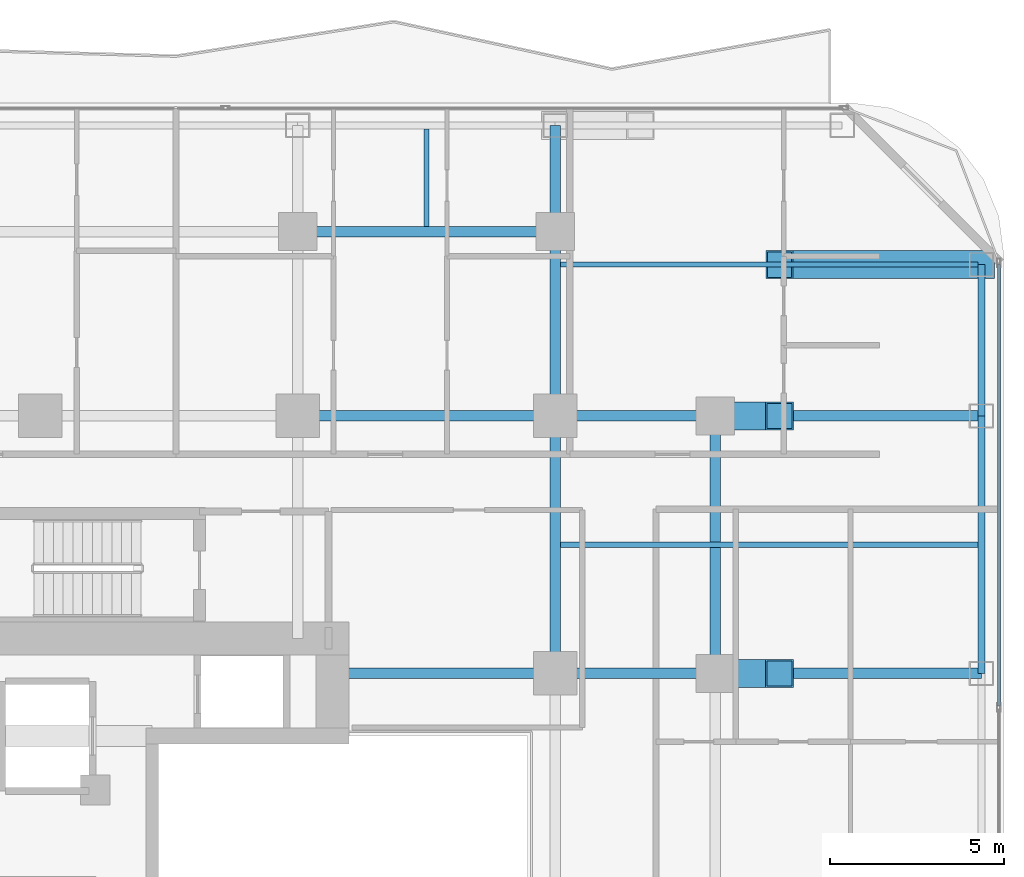
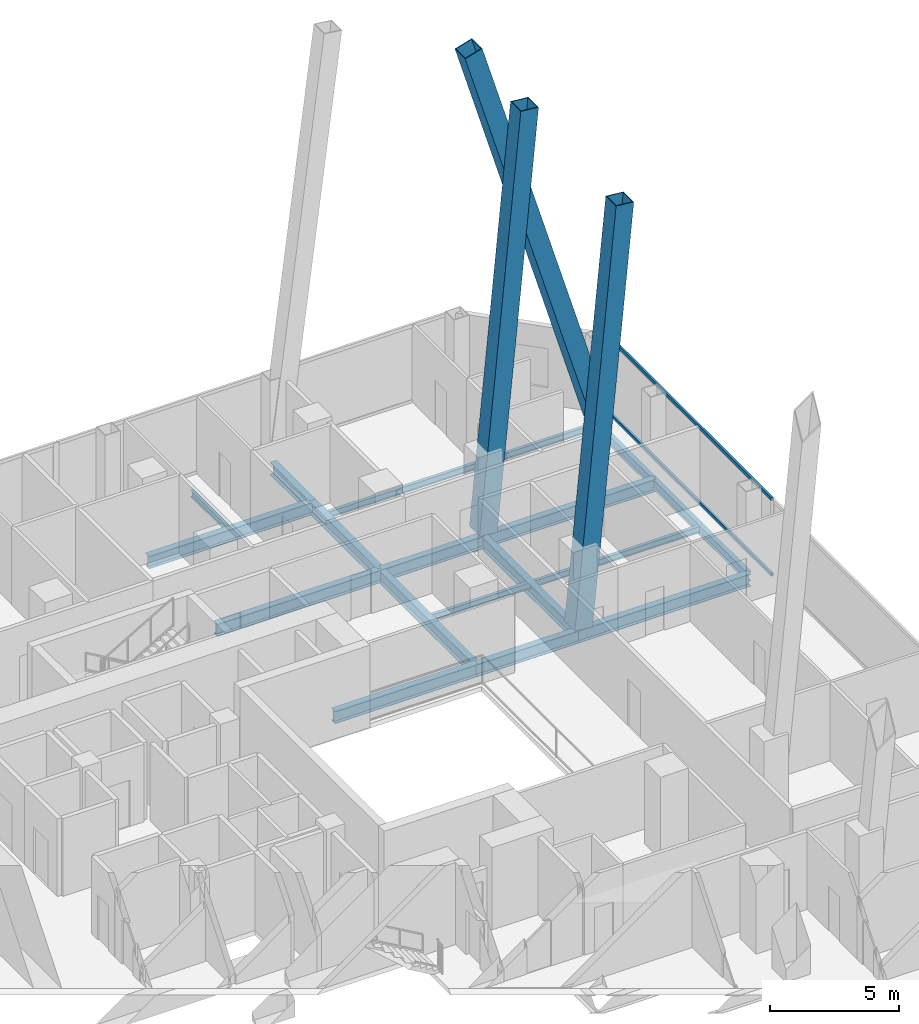
# One storey, part 19 of 32: 16 beams, 5 members, 1 element without a shape of its own.
"""IFC4 building model written with IfcOpenShell, lengths in metres."""

from ifc_helpers import new_model, si_unit, direction, frame, origin, origin_2d, place, context, subcontext, project, spatial, hollow_rectangle, i_section, extrude, material, layer, layer_set, material_profile, profile_set, type_object, element, aggregate, save


model = new_model("IFC4")

# Units and contexts
model_context = context("Model", 3, precision=1e-05, world=origin(), true_north=direction((0.0, 1.0)))
body_context = subcontext(model_context, "Body", "Model", "MODEL_VIEW")
ifc_project = project(units=[si_unit("LENGTHUNIT", "METRE"), si_unit("AREAUNIT", "SQUARE_METRE"), si_unit("VOLUMEUNIT", "CUBIC_METRE"), si_unit("PLANEANGLEUNIT", "RADIAN"), si_unit("MASSUNIT", "GRAM", prefix="KILO")], contexts=[model_context])

# Site, building, storey
site_placement = place(None, origin())
site = spatial("IfcSite", under=ifc_project, at=site_placement, CompositionType="ELEMENT")
building_placement = place(site_placement, origin())
building = spatial("IfcBuilding", under=site, at=building_placement, Name="Khorvyn Point Tower", CompositionType="ELEMENT")
storey_placement = place(building_placement, frame((0.0, 0.0, 148.5)))
storey = spatial("IfcBuildingStorey", under=building, at=storey_placement, Name="L37", CompositionType="ELEMENT", Elevation=148.5)

# Curtain wall, members
ifc_material_1 = material(Name="Anodised aluminium 6063-T6 and laminated Low-E glass", Category="aluminium")
ifc_layer = layer(ifc_material_1, 0.18994140625)
ifc_layer_set = layer_set([ifc_layer], Name="Stick-Built Acoustic Curtain Wall CW-SYS-03")
curtain_wall_type = type_object("IfcCurtainWallType", Name="Stick-Built Acoustic Curtain Wall CW-SYS-03", PredefinedType="NOTDEFINED", material=ifc_layer_set)
curtain_wall_placement = place(storey_placement, origin())
curtain_wall = element("IfcCurtainWall", 1, at=curtain_wall_placement, inside=storey, type_object=curtain_wall_type, Name="Curtain Wall", PredefinedType="NOTDEFINED")
ifc_material_2 = material(Name="Anodised aluminium 6063-T6", Category="aluminium")
ifc_material_profile_1 = material_profile(ifc_material_2, hollow_rectangle(XDim=0.10009765625, YDim=0.159912109375, WallThickness=0.00439453125, at=origin_2d()))
ifc_profile_set_1 = profile_set([ifc_material_profile_1], Name="Anodised aluminium 6063-T6 ALU-TRN-100x160")
member_type_1 = type_object("IfcMemberType", Name="Anodised Aluminium 6063-T6 Transom ALU-TRN-100x160", PredefinedType="USERDEFINED", material=ifc_profile_set_1)
member_1_placement = place(storey_placement, frame((27.550048828125, 19.14990234375, 0.050048828125), z_axis=(0.0, -1.0, 0.0), x_axis=(1.0, 0.0, 0.0)))
member_1 = element("IfcMember", 2, at=member_1_placement, type_object=member_type_1, Name="Transom", ObjectType="TRANSOM", PredefinedType="USERDEFINED", context=body_context, shape_type="SweptSolid", body=[
    extrude(hollow_rectangle(XDim=0.10009765625, YDim=0.159912109375, WallThickness=0.00439453125, at=origin_2d()), origin(), (0.0, 0.0, 1.0), 12.683349609375),
])
member_2_placement = place(storey_placement, frame((27.550048828125, 19.14990234375, 3.6298828125), z_axis=(0.0, -1.0, 0.0), x_axis=(1.0, 0.0, 0.0)))
member_2 = element("IfcMember", 3, at=member_2_placement, type_object=member_type_1, Name="Transom", ObjectType="TRANSOM", PredefinedType="USERDEFINED", context=body_context, shape_type="SweptSolid", body=[
    extrude(hollow_rectangle(XDim=0.10009765625, YDim=0.159912109375, WallThickness=0.00439453125, at=origin_2d()), origin(), (0.0, 0.0, 1.0), 12.683349609375),
])
aggregate(curtain_wall, [member_1, member_2])

# Beams
ifc_material_3 = material(Name="Steel S355", Category="steel")
ifc_material_profile_2 = material_profile(ifc_material_3, i_section(OverallWidth=0.300048828125, OverallDepth=0.587890625, WebThickness=0.011962890625, FlangeThickness=0.02001953125, at=origin_2d()))
ifc_profile_set_2 = profile_set([ifc_material_profile_2], Name="Steel S355 H588x300x12x20")
beam_type_1 = type_object("IfcBeamType", Name="Steel S355 Beam H588x300x12x20", PredefinedType="BEAM", material=ifc_profile_set_2)
beam_1_placement = place(storey_placement, frame((7.39990234375, 14.800048828125, -0.513916015625), z_axis=(1.0, 0.0, 0.0), x_axis=(0.0, 1.0, 0.0)))
element("IfcBeam", 4, at=beam_1_placement, inside=storey, type_object=beam_type_1, Name="Beam", PredefinedType="BEAM", context=body_context, shape_type="SweptSolid", body=[
    extrude(i_section(OverallWidth=0.300048828125, OverallDepth=0.587890625, WebThickness=0.011962890625, FlangeThickness=0.02001953125, at=origin_2d()), origin(), (0.0, 0.0, 1.0), 7.400146484375),
])
beam_2_placement = place(storey_placement, frame((14.800048828125, 14.800048828125, -0.513916015625), z_axis=(1.0, 0.0, 0.0), x_axis=(0.0, 1.0, 0.0)))
element("IfcBeam", 5, at=beam_2_placement, inside=storey, type_object=beam_type_1, Name="Beam", PredefinedType="BEAM", context=body_context, shape_type="SweptSolid", body=[
    extrude(i_section(OverallWidth=0.300048828125, OverallDepth=0.587890625, WebThickness=0.011962890625, FlangeThickness=0.02001953125, at=origin_2d()), origin(), (0.0, 0.0, 1.0), 4.599853515625),
])
beam_3_placement = place(storey_placement, frame((19.39990234375, 14.800048828125, -0.513916015625), z_axis=(1.0, 0.0, 0.0), x_axis=(0.0, 1.0, 0.0)))
element("IfcBeam", 6, at=beam_3_placement, inside=storey, type_object=beam_type_1, Name="Beam", PredefinedType="BEAM", context=body_context, shape_type="SweptSolid", body=[
    extrude(i_section(OverallWidth=0.300048828125, OverallDepth=0.587890625, WebThickness=0.011962890625, FlangeThickness=0.02001953125, at=origin_2d()), origin(), (0.0, 0.0, 1.0), 7.650146484375),
])
beam_4_placement = place(storey_placement, frame((8.39990234375, 7.39990234375, -0.513916015625), z_axis=(1.0, 0.0, 0.0), x_axis=(0.0, 1.0, 0.0)))
element("IfcBeam", 7, at=beam_4_placement, inside=storey, type_object=beam_type_1, Name="Beam", PredefinedType="BEAM", context=body_context, shape_type="SweptSolid", body=[
    extrude(i_section(OverallWidth=0.300048828125, OverallDepth=0.587890625, WebThickness=0.011962890625, FlangeThickness=0.02001953125, at=origin_2d()), origin(), (0.0, 0.0, 1.0), 6.400146484375),
])
beam_5_placement = place(storey_placement, frame((14.800048828125, 7.39990234375, -0.513916015625), z_axis=(1.0, 0.0, 0.0), x_axis=(0.0, 1.0, 0.0)))
element("IfcBeam", 8, at=beam_5_placement, inside=storey, type_object=beam_type_1, Name="Beam", PredefinedType="BEAM", context=body_context, shape_type="SweptSolid", body=[
    extrude(i_section(OverallWidth=0.300048828125, OverallDepth=0.587890625, WebThickness=0.011962890625, FlangeThickness=0.02001953125, at=origin_2d()), origin(), (0.0, 0.0, 1.0), 4.599853515625),
])
beam_6_placement = place(storey_placement, frame((19.39990234375, 7.39990234375, -0.513916015625), z_axis=(1.0, 0.0, 0.0), x_axis=(0.0, 1.0, 0.0)))
element("IfcBeam", 9, at=beam_6_placement, inside=storey, type_object=beam_type_1, Name="Beam", PredefinedType="BEAM", context=body_context, shape_type="SweptSolid", body=[
    extrude(i_section(OverallWidth=0.300048828125, OverallDepth=0.587890625, WebThickness=0.011962890625, FlangeThickness=0.02001953125, at=origin_2d()), origin(), (0.0, 0.0, 1.0), 7.650146484375),
])
for number, where, z_axis, x_axis, name in (
    (10, (7.39990234375, 20.10009765625, -0.513916015625), (1.0, 0.0, 0.0), (0.0, 1.0, 0.0), "Beam"),
    (11, (14.800048828125, 7.39990234375, -0.513916015625), (0.0, 1.0, 0.0), (-1.0, 0.0, 0.0), "Beam"),
):
    element("IfcBeam", number, at=place(storey_placement, frame(where, z_axis=z_axis, x_axis=x_axis)), inside=storey, type_object=beam_type_1, Name=name, PredefinedType="BEAM", context=body_context, shape_type="SweptSolid", body=[
        extrude(i_section(OverallWidth=0.300048828125, OverallDepth=0.587890625, WebThickness=0.011962890625, FlangeThickness=0.02001953125, at=origin_2d()), origin(), (0.0, 0.0, 1.0), 7.400146484375),
    ])
beam_7_placement = place(storey_placement, frame((14.800048828125, 14.800048828125, -0.513916015625), z_axis=(0.0, 1.0, 0.0), x_axis=(-1.0, 0.0, 0.0)))
element("IfcBeam", 12, at=beam_7_placement, inside=storey, type_object=beam_type_1, Name="Beam", PredefinedType="BEAM", context=body_context, shape_type="SweptSolid", body=[
    extrude(i_section(OverallWidth=0.300048828125, OverallDepth=0.587890625, WebThickness=0.011962890625, FlangeThickness=0.02001953125, at=origin_2d()), origin(), (0.0, 0.0, 1.0), 5.300048828125),
])
beam_8_placement = place(storey_placement, frame((14.800048828125, 20.10009765625, -0.513916015625), z_axis=(0.0, 1.0, 0.0), x_axis=(-1.0, 0.0, 0.0)))
element("IfcBeam", 13, at=beam_8_placement, inside=storey, type_object=beam_type_1, Name="Beam", PredefinedType="BEAM", context=body_context, shape_type="SweptSolid", body=[
    extrude(i_section(OverallWidth=0.300048828125, OverallDepth=0.587890625, WebThickness=0.011962890625, FlangeThickness=0.02001953125, at=origin_2d()), origin(), (0.0, 0.0, 1.0), 3.0498046875),
])
beam_9_placement = place(storey_placement, frame((19.39990234375, 7.39990234375, -0.513916015625), z_axis=(0.0, 1.0, 0.0), x_axis=(-1.0, 0.0, 0.0)))
element("IfcBeam", 14, at=beam_9_placement, inside=storey, type_object=beam_type_1, Name="Beam", PredefinedType="BEAM", context=body_context, shape_type="SweptSolid", body=[
    extrude(i_section(OverallWidth=0.300048828125, OverallDepth=0.587890625, WebThickness=0.011962890625, FlangeThickness=0.02001953125, at=origin_2d()), origin(), (0.0, 0.0, 1.0), 7.400146484375),
])
ifc_material_profile_3 = material_profile(ifc_material_3, i_section(OverallWidth=0.14990234375, OverallDepth=0.300048828125, WebThickness=0.006591796875, FlangeThickness=0.009033203125, at=origin_2d()))
ifc_profile_set_3 = profile_set([ifc_material_profile_3], Name="Steel S355 H300x150x6.5x9")
beam_type_2 = type_object("IfcBeamType", Name="Steel S355 Joist H300x150x6.5x9", PredefinedType="JOIST", material=ifc_profile_set_3)
beam_10_placement = place(storey_placement, frame((14.949951171875, 11.10009765625, -0.3701171875), z_axis=(1.0, 0.0, 0.0), x_axis=(0.0, 1.0, 0.0)))
element("IfcBeam", 15, at=beam_10_placement, inside=storey, type_object=beam_type_2, Name="Beam", PredefinedType="JOIST", context=body_context, shape_type="SweptSolid", body=[
    extrude(i_section(OverallWidth=0.14990234375, OverallDepth=0.300048828125, WebThickness=0.006591796875, FlangeThickness=0.009033203125, at=origin_2d()), origin(), (0.0, 0.0, 1.0), 12.0),
])
beam_11_placement = place(storey_placement, frame((11.10009765625, 20.25, -0.3701171875), z_axis=(0.0, 1.0, 0.0), x_axis=(-1.0, 0.0, 0.0)))
element("IfcBeam", 16, at=beam_11_placement, inside=storey, type_object=beam_type_2, Name="Beam", PredefinedType="JOIST", context=body_context, shape_type="SweptSolid", body=[
    extrude(i_section(OverallWidth=0.14990234375, OverallDepth=0.300048828125, WebThickness=0.006591796875, FlangeThickness=0.009033203125, at=origin_2d()), origin(), (0.0, 0.0, 1.0), 2.800048828125),
])
beam_12_placement = place(storey_placement, frame((14.949951171875, 19.14990234375, -0.3701171875), z_axis=(1.0, 0.0, 0.0), x_axis=(0.0, 1.0, 0.0)))
element("IfcBeam", 17, at=beam_12_placement, inside=storey, type_object=beam_type_2, Name="Beam", PredefinedType="JOIST", context=body_context, shape_type="SweptSolid", body=[
    extrude(i_section(OverallWidth=0.14990234375, OverallDepth=0.300048828125, WebThickness=0.006591796875, FlangeThickness=0.009033203125, at=origin_2d()), origin(), (0.0, 0.0, 1.0), 12.0),
])
ifc_material_profile_4 = material_profile(ifc_material_3, i_section(OverallWidth=0.199951171875, OverallDepth=0.449951171875, WebThickness=0.009033203125, FlangeThickness=0.013916015625, at=origin_2d()))
ifc_profile_set_4 = profile_set([ifc_material_profile_4], Name="Steel S355 H450x200x9x14")
beam_type_3 = type_object("IfcBeamType", Name="Steel S355 Spandrel H450x200x9x14", PredefinedType="SPANDREL", material=ifc_profile_set_4)
beam_13_placement = place(storey_placement, frame((27.050048828125, 7.39990234375, -0.445068359375), z_axis=(0.0, 1.0, 0.0), x_axis=(-1.0, 0.0, 0.0)))
element("IfcBeam", 18, at=beam_13_placement, inside=storey, type_object=beam_type_3, Name="Beam", PredefinedType="SPANDREL", context=body_context, shape_type="SweptSolid", body=[
    extrude(i_section(OverallWidth=0.199951171875, OverallDepth=0.449951171875, WebThickness=0.009033203125, FlangeThickness=0.013916015625, at=origin_2d()), origin(), (0.0, 0.0, 1.0), 7.400146484375),
])
beam_14_placement = place(storey_placement, frame((27.050048828125, 14.800048828125, -0.445068359375), z_axis=(0.0, 1.0, 0.0), x_axis=(-1.0, 0.0, 0.0)))
element("IfcBeam", 19, at=beam_14_placement, inside=storey, type_object=beam_type_3, Name="Beam", PredefinedType="SPANDREL", context=body_context, shape_type="SweptSolid", body=[
    extrude(i_section(OverallWidth=0.199951171875, OverallDepth=0.449951171875, WebThickness=0.009033203125, FlangeThickness=0.013916015625, at=origin_2d()), origin(), (0.0, 0.0, 1.0), 4.349853515625),
])

# Members
ifc_material_4 = material(Name="Steel S450", Category="steel")
ifc_material_profile_5 = material_profile(ifc_material_4, hollow_rectangle(XDim=0.800048828125, YDim=0.800048828125, WallThickness=0.035888671875, at=origin_2d()))
ifc_profile_set_5 = profile_set([ifc_material_profile_5], Name="Steel S450 BOX800x800x36")
member_type_2 = type_object("IfcMemberType", Name="Steel S450 Exoskeleton Structural Post BOX800x800x36", PredefinedType="POST", material=ifc_profile_set_5)
member_3_placement = place(storey_placement, frame((27.050048828125, 19.14990234375, 0.0), z_axis=(-0.285094530681, 0.0, 0.958499404578), x_axis=(0.0, -1.0, 0.0)))
element("IfcMember", 20, at=member_3_placement, inside=storey, type_object=member_type_2, Name="L37 to L41 Exoskeleton Transfer Post 08", PredefinedType="POST", context=body_context, shape_type="SweptSolid", body=[
    extrude(hollow_rectangle(XDim=0.800048828125, YDim=0.800048828125, WallThickness=0.035888671875, at=origin_2d()), origin(), (0.0, 0.0, 1.0), 20.34423828125),
])
for number, where, z_axis, x_axis, name in (
    (21, (19.39990234375, 7.39990234375, 0.0), (0.09445264246, 0.0, 0.995529355837), (0.0, 1.0, 0.0), "L37 to L41 Exoskeleton Transfer Post 16"),
    (22, (19.39990234375, 14.800048828125, 0.0), (0.09445264246, 0.0, 0.995529355837), (0.0, 1.0, 0.0), "L37 to L41 Exoskeleton Transfer Post 18"),
):
    element("IfcMember", number, at=place(storey_placement, frame(where, z_axis=z_axis, x_axis=x_axis)), inside=storey, type_object=member_type_2, Name=name, PredefinedType="POST", context=body_context, shape_type="SweptSolid", body=[
        extrude(hollow_rectangle(XDim=0.800048828125, YDim=0.800048828125, WallThickness=0.035888671875, at=origin_2d()), origin(), (0.0, 0.0, 1.0), 19.587646484375),
    ])

save(model, "model.ifc")
